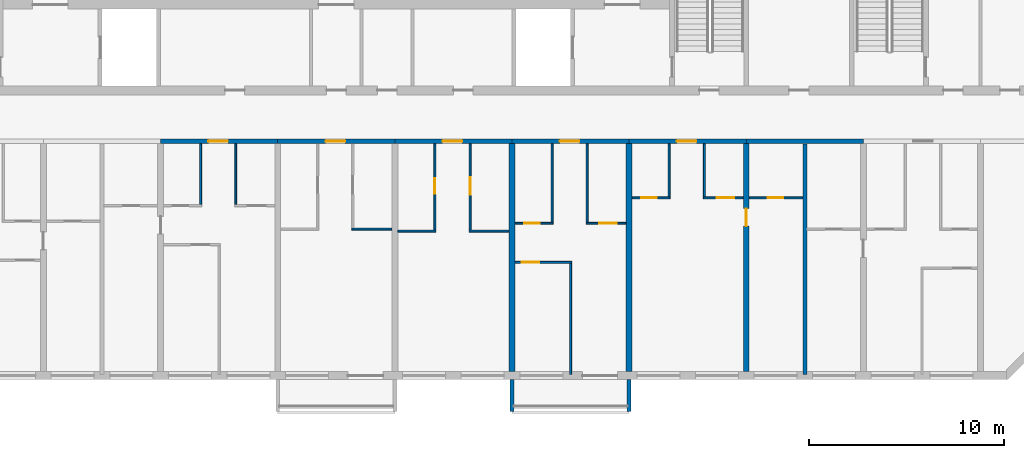
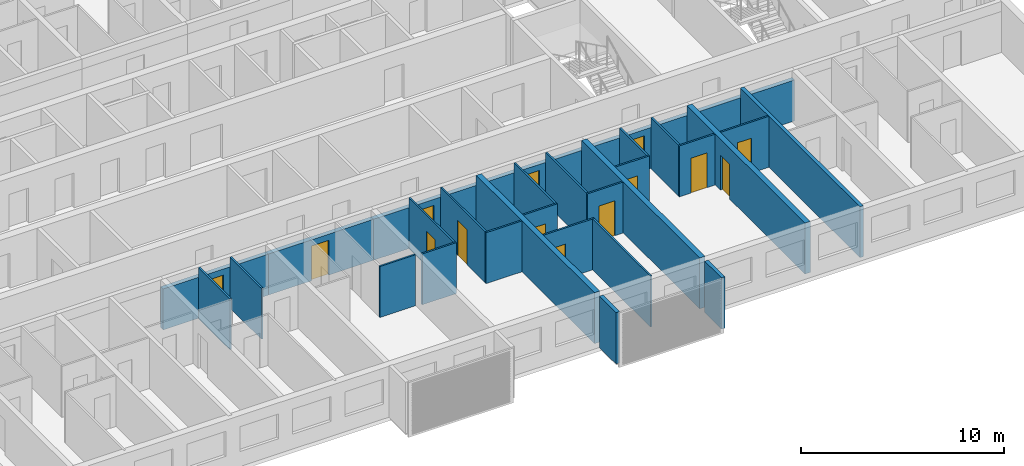
# One storey, part 5 of 31: 30 walls, 14 doors, 14 openings.
"""IFC4 building model written with IfcOpenShell, lengths in metres."""

from ifc_helpers import new_model, si_unit, direction, frame, frame_2d, origin, place, context, subcontext, project, spatial, polyline, rectangle, outline, extrude, source, transform, mapped, material, layer, layer_set, type_object, element, fill, save


model = new_model("IFC4")

# Units and contexts
model_context = context("Model", 3, precision=1e-05, world=origin(), true_north=direction((0.0, 1.0)))
body_context = subcontext(model_context, "Body", "Model", "MODEL_VIEW")
ifc_project = project(units=[si_unit("LENGTHUNIT", "METRE"), si_unit("AREAUNIT", "SQUARE_METRE"), si_unit("VOLUMEUNIT", "CUBIC_METRE"), si_unit("PLANEANGLEUNIT", "RADIAN"), si_unit("MASSUNIT", "GRAM", prefix="KILO")], contexts=[model_context])

# Site, building, storey
site_placement = place(None, origin())
site = spatial("IfcSite", under=ifc_project, at=site_placement, CompositionType="ELEMENT")
building_placement = place(site_placement, origin())
building = spatial("IfcBuilding", under=site, at=building_placement, Name="Poui Terraces", CompositionType="ELEMENT")
storey_placement = place(building_placement, frame((0.0, 0.0, 148.800048828125)))
storey = spatial("IfcBuildingStorey", under=building, at=storey_placement, Name="L41", CompositionType="ELEMENT", Elevation=148.800048828125)

# Wall, opening, door
ifc_material_1 = material(Name="Concrete 65 MPa", Category="concrete")
ifc_layer_1 = layer(ifc_material_1, 0.25)
ifc_layer_set_1 = layer_set([ifc_layer_1], Name="Concrete 65 MPa")
wall_type_1 = type_object("IfcWallType", Name="CORRIDOR WALL 250 65MPa", PredefinedType="SHEAR", material=ifc_layer_set_1)
wall_1_placement = place(storey_placement, frame((42.0, 12.0, 0.0), z_axis=(0.0, 0.0, 1.0), x_axis=(1.0, 0.0, 0.0)))
wall_1 = element("IfcWall", 1, at=wall_1_placement, inside=storey, type_object=wall_type_1, Name="CORRIDOR WALL LINE B BAY 6", PredefinedType="SHEAR", context=body_context, shape_type="SweptSolid", body=[
    extrude(rectangle(XDim=6.0, YDim=0.25, at=frame_2d((3.0, 0.0))), origin(), (0.0, 0.0, 1.0), 2.469970703125),
])
opening_1_placement = place(wall_1_placement, frame((2.449951171875, 0.0, 0.0)))
opening_1 = element("IfcOpeningElement", 2, at=opening_1_placement, cuts=wall_1, Name="Opening FD30S", PredefinedType="OPENING", context=body_context, shape_type="SweptSolid", body=[
    extrude(rectangle(XDim=1.0, YDim=2.10009765625, at=frame_2d((0.5, 1.050048828125))), frame((0.0, 0.135009765625, 0.0), z_axis=(0.0, -1.0, 0.0), x_axis=(1.0, 0.0, 0.0)), (0.0, 0.0, 1.0), 0.27001953125),
])
ifc_material_2 = material(Name="Steel fire door", Category="steel")
door_type_1 = type_object("IfcDoorType", Name="FLAT ENTRANCE DOOR 1000 X 2100", OperationType="NOTDEFINED", PredefinedType="DOOR", material=ifc_material_2)
door_1_placement = place(opening_1_placement, frame((1.0, 0.0, 0.0), z_axis=(0.0, 0.0, 1.0), x_axis=(-1.0, 0.0, 0.0)))
door_1 = element("IfcDoor", 3, at=door_1_placement, inside=storey, type_object=door_type_1, Name="FLAT ENTRANCE DOOR 096", OperationType="SINGLE_SWING_RIGHT", OverallHeight=2.10009765625, OverallWidth=1.0, PredefinedType="DOOR", context=body_context, shape_type="SweptSolid", body=[
    extrude(rectangle(XDim=1.0, YDim=2.10009765625, at=frame_2d((0.5, 1.050048828125))), frame((0.0, 0.02490234375, 0.0), z_axis=(0.0, -1.0, 0.0), x_axis=(1.0, 0.0, 0.0)), (0.0, 0.0, 1.0), 0.050048828125),
])
fill(opening_1, door_1)

wall_2_placement = place(storey_placement, frame((48.0, 12.0, 0.0), z_axis=(0.0, 0.0, 1.0), x_axis=(1.0, 0.0, 0.0)))
wall_2 = element("IfcWall", 4, at=wall_2_placement, inside=storey, type_object=wall_type_1, Name="CORRIDOR WALL LINE B BAY 7", PredefinedType="SHEAR", context=body_context, shape_type="SweptSolid", body=[
    extrude(rectangle(XDim=6.0, YDim=0.25, at=frame_2d((3.0, 0.0))), origin(), (0.0, 0.0, 1.0), 2.469970703125),
])
opening_2_placement = place(wall_2_placement, frame((2.449951171875, 0.0, 0.0)))
opening_2 = element("IfcOpeningElement", 5, at=opening_2_placement, cuts=wall_2, Name="Opening FD30S", PredefinedType="OPENING", context=body_context, shape_type="SweptSolid", body=[
    extrude(rectangle(XDim=1.0, YDim=2.10009765625, at=frame_2d((0.5, 1.050048828125))), frame((0.0, 0.135009765625, 0.0), z_axis=(0.0, -1.0, 0.0), x_axis=(1.0, 0.0, 0.0)), (0.0, 0.0, 1.0), 0.27001953125),
])
door_2_placement = place(opening_2_placement, frame((1.0, 0.0, 0.0), z_axis=(0.0, 0.0, 1.0), x_axis=(-1.0, 0.0, 0.0)))
door_2 = element("IfcDoor", 6, at=door_2_placement, inside=storey, type_object=door_type_1, Name="FLAT ENTRANCE DOOR 099", OperationType="SINGLE_SWING_RIGHT", OverallHeight=2.10009765625, OverallWidth=1.0, PredefinedType="DOOR", context=body_context, shape_type="SweptSolid", body=[
    extrude(rectangle(XDim=1.0, YDim=2.10009765625, at=frame_2d((0.5, 1.050048828125))), frame((0.0, 0.02490234375, 0.0), z_axis=(0.0, -1.0, 0.0), x_axis=(1.0, 0.0, 0.0)), (0.0, 0.0, 1.0), 0.050048828125),
])
fill(opening_2, door_2)

wall_3_placement = place(storey_placement, frame((54.0, 12.0, 0.0), z_axis=(0.0, 0.0, 1.0), x_axis=(1.0, 0.0, 0.0)))
wall_3 = element("IfcWall", 7, at=wall_3_placement, inside=storey, type_object=wall_type_1, Name="CORRIDOR WALL LINE B BAY 8", PredefinedType="SHEAR", context=body_context, shape_type="SweptSolid", body=[
    extrude(rectangle(XDim=6.0, YDim=0.25, at=frame_2d((3.0, 0.0))), origin(), (0.0, 0.0, 1.0), 2.469970703125),
])
opening_3_placement = place(wall_3_placement, frame((2.449951171875, 0.0, 0.0)))
opening_3 = element("IfcOpeningElement", 8, at=opening_3_placement, cuts=wall_3, Name="Opening FD30S", PredefinedType="OPENING", context=body_context, shape_type="SweptSolid", body=[
    extrude(rectangle(XDim=1.0, YDim=2.10009765625, at=frame_2d((0.5, 1.050048828125))), frame((0.0, 0.135009765625, 0.0), z_axis=(0.0, -1.0, 0.0), x_axis=(1.0, 0.0, 0.0)), (0.0, 0.0, 1.0), 0.27001953125),
])
door_3_placement = place(opening_3_placement, frame((1.0, 0.0, 0.0), z_axis=(0.0, 0.0, 1.0), x_axis=(-1.0, 0.0, 0.0)))
door_3 = element("IfcDoor", 9, at=door_3_placement, inside=storey, type_object=door_type_1, Name="FLAT ENTRANCE DOOR 102", OperationType="SINGLE_SWING_RIGHT", OverallHeight=2.10009765625, OverallWidth=1.0, PredefinedType="DOOR", context=body_context, shape_type="SweptSolid", body=[
    extrude(rectangle(XDim=1.0, YDim=2.10009765625, at=frame_2d((0.5, 1.050048828125))), frame((0.0, 0.02490234375, 0.0), z_axis=(0.0, -1.0, 0.0), x_axis=(1.0, 0.0, 0.0)), (0.0, 0.0, 1.0), 0.050048828125),
])
fill(opening_3, door_3)

wall_4_placement = place(storey_placement, frame((60.0, 12.0, 0.0), z_axis=(0.0, 0.0, 1.0), x_axis=(1.0, 0.0, 0.0)))
wall_4 = element("IfcWall", 10, at=wall_4_placement, inside=storey, type_object=wall_type_1, Name="CORRIDOR WALL LINE B BAY 9", PredefinedType="SHEAR", context=body_context, shape_type="SweptSolid", body=[
    extrude(rectangle(XDim=6.0, YDim=0.25, at=frame_2d((3.0, 0.0))), origin(), (0.0, 0.0, 1.0), 2.469970703125),
])
opening_4_placement = place(wall_4_placement, frame((2.449951171875, 0.0, 0.0)))
opening_4 = element("IfcOpeningElement", 11, at=opening_4_placement, cuts=wall_4, Name="Opening FD30S", PredefinedType="OPENING", context=body_context, shape_type="SweptSolid", body=[
    extrude(rectangle(XDim=1.0, YDim=2.10009765625, at=frame_2d((0.5, 1.050048828125))), frame((0.0, 0.135009765625, 0.0), z_axis=(0.0, -1.0, 0.0), x_axis=(1.0, 0.0, 0.0)), (0.0, 0.0, 1.0), 0.27001953125),
])
door_4_placement = place(opening_4_placement, frame((1.0, 0.0, 0.0), z_axis=(0.0, 0.0, 1.0), x_axis=(-1.0, 0.0, 0.0)))
door_4 = element("IfcDoor", 12, at=door_4_placement, inside=storey, type_object=door_type_1, Name="FLAT ENTRANCE DOOR 106", OperationType="SINGLE_SWING_RIGHT", OverallHeight=2.10009765625, OverallWidth=1.0, PredefinedType="DOOR", context=body_context, shape_type="SweptSolid", body=[
    extrude(rectangle(XDim=1.0, YDim=2.10009765625, at=frame_2d((0.5, 1.050048828125))), frame((0.0, 0.02490234375, 0.0), z_axis=(0.0, -1.0, 0.0), x_axis=(1.0, 0.0, 0.0)), (0.0, 0.0, 1.0), 0.050048828125),
])
fill(opening_4, door_4)

wall_5_placement = place(storey_placement, frame((66.0, 12.0, 0.0), z_axis=(0.0, 0.0, 1.0), x_axis=(1.0, 0.0, 0.0)))
wall_5 = element("IfcWall", 13, at=wall_5_placement, inside=storey, type_object=wall_type_1, Name="CORRIDOR WALL LINE B BAY 10", PredefinedType="SHEAR", context=body_context, shape_type="SweptSolid", body=[
    extrude(rectangle(XDim=6.0, YDim=0.25, at=frame_2d((3.0, 0.0))), origin(), (0.0, 0.0, 1.0), 2.469970703125),
])
opening_5_placement = place(wall_5_placement, frame((2.449951171875, 0.0, 0.0)))
opening_5 = element("IfcOpeningElement", 14, at=opening_5_placement, cuts=wall_5, Name="Opening FD30S", PredefinedType="OPENING", context=body_context, shape_type="SweptSolid", body=[
    extrude(rectangle(XDim=1.0, YDim=2.10009765625, at=frame_2d((0.5, 1.050048828125))), frame((0.0, 0.135009765625, 0.0), z_axis=(0.0, -1.0, 0.0), x_axis=(1.0, 0.0, 0.0)), (0.0, 0.0, 1.0), 0.27001953125),
])
door_5_placement = place(opening_5_placement, frame((1.0, 0.0, 0.0), z_axis=(0.0, 0.0, 1.0), x_axis=(-1.0, 0.0, 0.0)))
door_5 = element("IfcDoor", 15, at=door_5_placement, inside=storey, type_object=door_type_1, Name="FLAT ENTRANCE DOOR 110", OperationType="SINGLE_SWING_RIGHT", OverallHeight=2.10009765625, OverallWidth=1.0, PredefinedType="DOOR", context=body_context, shape_type="SweptSolid", body=[
    extrude(rectangle(XDim=1.0, YDim=2.10009765625, at=frame_2d((0.5, 1.050048828125))), frame((0.0, 0.02490234375, 0.0), z_axis=(0.0, -1.0, 0.0), x_axis=(1.0, 0.0, 0.0)), (0.0, 0.0, 1.0), 0.050048828125),
])
fill(opening_5, door_5)

# Walls
wall_6_placement = place(storey_placement, frame((72.0, 12.0, 0.0), z_axis=(0.0, 0.0, 1.0), x_axis=(1.0, 0.0, 0.0)))
element("IfcWall", 16, at=wall_6_placement, inside=storey, type_object=wall_type_1, Name="CORRIDOR WALL LINE B BAY 11", PredefinedType="SHEAR", context=body_context, shape_type="SweptSolid", body=[
    extrude(rectangle(XDim=6.0, YDim=0.25, at=frame_2d((3.0, 0.0))), origin(), (0.0, 0.0, 1.0), 2.469970703125),
])
ifc_layer_2 = layer(ifc_material_1, 0.300048828125)
ifc_layer_set_2 = layer_set([ifc_layer_2], Name="Concrete 65 MPa")
wall_type_2 = type_object("IfcWallType", Name="CROSS WALL 300 65MPa", PredefinedType="SHEAR", material=ifc_layer_set_2)
for number, where, z_axis, x_axis, name in (
    (17, (60.0, 0.199951171875, 0.0), (0.0, 0.0, 1.0), (0.0, 1.0, 0.0), "CROSS WALL LINE 11 SOUTH"),
    (18, (66.0, 0.199951171875, 0.0), (0.0, 0.0, 1.0), (0.0, 1.0, 0.0), "CROSS WALL LINE 12 SOUTH"),
):
    element("IfcWall", number, at=place(storey_placement, frame(where, z_axis=z_axis, x_axis=x_axis)), inside=storey, type_object=wall_type_2, Name=name, PredefinedType="SHEAR", context=body_context, shape_type="SweptSolid", body=[
        extrude(rectangle(XDim=11.675048828125, YDim=0.300048828125, at=frame_2d((5.83740234375, 0.0))), origin(), (0.0, 0.0, 1.0), 3.070068359375),
    ])

# Wall, opening, door
wall_7_placement = place(storey_placement, frame((72.0, 0.199951171875, 0.0), z_axis=(0.0, 0.0, 1.0), x_axis=(0.0, 1.0, 0.0)))
wall_7 = element("IfcWall", 19, at=wall_7_placement, inside=storey, type_object=wall_type_2, Name="CROSS WALL LINE 13 SOUTH", PredefinedType="SHEAR", context=body_context, shape_type="SweptSolid", body=[
    extrude(rectangle(XDim=11.675048828125, YDim=0.300048828125, at=frame_2d((5.83740234375, 0.0))), origin(), (0.0, 0.0, 1.0), 3.070068359375),
])
opening_6_placement = place(wall_7_placement, frame((7.449951171875, 0.0, 0.0)))
opening_6 = element("IfcOpeningElement", 20, at=opening_6_placement, cuts=wall_7, Name="Opening D90", PredefinedType="OPENING", context=body_context, shape_type="SweptSolid", body=[
    extrude(rectangle(XDim=0.89990234375, YDim=2.10009765625, at=frame_2d((0.449951171875, 1.050048828125))), frame((0.0, 0.16015625, 0.0), z_axis=(0.0, -1.0, 0.0), x_axis=(1.0, 0.0, 0.0)), (0.0, 0.0, 1.0), 0.320068359375),
])
ifc_material_3 = material(Name="Solid core timber door", Category="wood")
door_type_2 = type_object("IfcDoorType", Name="INTERNAL DOOR 900 X 2100", OperationType="NOTDEFINED", PredefinedType="DOOR", material=ifc_material_3)
door_6_placement = place(opening_6_placement, frame((0.89990234375, 0.0, 0.0), z_axis=(0.0, 0.0, 1.0), x_axis=(-1.0, 0.0, 0.0)))
door_6 = element("IfcDoor", 21, at=door_6_placement, inside=storey, type_object=door_type_2, Name="INTERNAL DOOR 112", OperationType="SINGLE_SWING_LEFT", OverallHeight=2.10009765625, OverallWidth=0.89990234375, PredefinedType="DOOR", context=body_context, shape_type="SweptSolid", body=[
    extrude(rectangle(XDim=0.89990234375, YDim=2.10009765625, at=frame_2d((0.449951171875, 1.050048828125))), frame((0.0, 0.02490234375, 0.0), z_axis=(0.0, -1.0, 0.0), x_axis=(1.0, 0.0, 0.0)), (0.0, 0.0, 1.0), 0.050048828125),
])
fill(opening_6, door_6)

ifc_material_4 = material(Name="Plasterboard partition")
ifc_layer_3 = layer(ifc_material_4, 0.10009765625)
ifc_layer_set_3 = layer_set([ifc_layer_3], Name="Plasterboard partition")
wall_type_3 = type_object("IfcWallType", Name="FLAT PARTITION 100", PredefinedType="PARTITIONING", material=ifc_layer_set_3)
wall_8_placement = place(storey_placement, frame((60.159912109375, 5.800048828125, 0.0), z_axis=(0.0, 0.0, 1.0), x_axis=(1.0, 0.0, 0.0)))
wall_8 = element("IfcWall", 22, at=wall_8_placement, inside=storey, type_object=wall_type_3, Name="FLAT PARTITION 100", PredefinedType="PARTITIONING", context=body_context, shape_type="SweptSolid", body=[
    extrude(rectangle(XDim=2.89013671875, YDim=0.10009765625, at=frame_2d((1.445068359375, 0.0))), origin(), (0.0, 0.0, 1.0), 3.070068359375),
])
opening_7_placement = place(wall_8_placement, frame((0.340087890625, 0.0, 0.0)))
opening_7 = element("IfcOpeningElement", 23, at=opening_7_placement, cuts=wall_8, Name="Opening D90", PredefinedType="OPENING", context=body_context, shape_type="SweptSolid", body=[
    extrude(rectangle(XDim=0.89990234375, YDim=2.10009765625, at=frame_2d((0.449951171875, 1.050048828125))), frame((0.0, 0.06005859375, 0.0), z_axis=(0.0, -1.0, 0.0), x_axis=(1.0, 0.0, 0.0)), (0.0, 0.0, 1.0), 0.1201171875),
])
door_7_placement = place(opening_7_placement, origin())
door_7 = element("IfcDoor", 24, at=door_7_placement, inside=storey, type_object=door_type_2, Name="INTERNAL DOOR 104", OperationType="SINGLE_SWING_RIGHT", OverallHeight=2.10009765625, OverallWidth=0.89990234375, PredefinedType="DOOR", context=body_context, shape_type="SweptSolid", body=[
    extrude(rectangle(XDim=0.89990234375, YDim=2.10009765625, at=frame_2d((0.449951171875, 1.050048828125))), frame((0.0, 0.02490234375, 0.0), z_axis=(0.0, -1.0, 0.0), x_axis=(1.0, 0.0, 0.0)), (0.0, 0.0, 1.0), 0.050048828125),
])
fill(opening_7, door_7)

# Walls
wall_9_placement = place(storey_placement, frame((54.159912109375, 7.39990234375, 0.0), z_axis=(0.0, 0.0, 1.0), x_axis=(1.0, 0.0, 0.0)))
element("IfcWall", 25, at=wall_9_placement, inside=storey, type_object=wall_type_3, Name="FLAT PARTITION 100", PredefinedType="PARTITIONING", context=body_context, shape_type="SweptSolid", body=[
    extrude(rectangle(XDim=1.940185546875, YDim=0.10009765625, at=frame_2d((0.97021484375, 0.0))), origin(), (0.0, 0.0, 1.0), 3.070068359375),
])
for number, where, z_axis, x_axis, name in (
    (26, (57.800048828125, 7.39990234375, 0.0), (0.0, 0.0, 1.0), (1.0, 0.0, 0.0), "FLAT PARTITION 100"),
    (27, (51.800048828125, 7.5, 0.0), (0.0, 0.0, 1.0), (1.0, 0.0, 0.0), "FLAT PARTITION 100"),
):
    element("IfcWall", number, at=place(storey_placement, frame(where, z_axis=z_axis, x_axis=x_axis)), inside=storey, type_object=wall_type_3, Name=name, PredefinedType="PARTITIONING", context=body_context, shape_type="SweptSolid", body=[
        extrude(rectangle(XDim=2.0400390625, YDim=0.10009765625, at=frame_2d((1.02001953125, 0.0))), origin(), (0.0, 0.0, 1.0), 3.070068359375),
    ])

# Wall, opening, door
wall_10_placement = place(storey_placement, frame((60.159912109375, 7.800048828125, 0.0), z_axis=(0.0, 0.0, 1.0), x_axis=(1.0, 0.0, 0.0)))
wall_10 = element("IfcWall", 28, at=wall_10_placement, inside=storey, type_object=wall_type_3, Name="FLAT PARTITION 100", PredefinedType="PARTITIONING", context=body_context, shape_type="SweptSolid", body=[
    extrude(rectangle(XDim=1.940185546875, YDim=0.10009765625, at=frame_2d((0.97021484375, 0.0))), origin(), (0.0, 0.0, 1.0), 3.070068359375),
])
opening_8_placement = place(wall_10_placement, frame((0.465087890625, 0.0, 0.0)))
opening_8 = element("IfcOpeningElement", 29, at=opening_8_placement, cuts=wall_10, Name="Opening D80", PredefinedType="OPENING", context=body_context, shape_type="SweptSolid", body=[
    extrude(rectangle(XDim=0.800048828125, YDim=2.10009765625, at=frame_2d((0.39990234375, 1.050048828125))), frame((0.0, 0.06005859375, 0.0), z_axis=(0.0, -1.0, 0.0), x_axis=(1.0, 0.0, 0.0)), (0.0, 0.0, 1.0), 0.1201171875),
])
door_type_3 = type_object("IfcDoorType", Name="BATHROOM, LAUNDRY AND STORE DOOR 800 X 2100", OperationType="NOTDEFINED", PredefinedType="DOOR", material=ifc_material_3)
door_8_placement = place(opening_8_placement, origin())
door_8 = element("IfcDoor", 30, at=door_8_placement, inside=storey, type_object=door_type_3, Name="BATHROOM, LAUNDRY AND STORE DOOR 105", OperationType="SINGLE_SWING_LEFT", OverallHeight=2.10009765625, OverallWidth=0.800048828125, PredefinedType="DOOR", context=body_context, shape_type="SweptSolid", body=[
    extrude(rectangle(XDim=0.800048828125, YDim=2.10009765625, at=frame_2d((0.39990234375, 1.050048828125))), frame((0.0, 0.02490234375, 0.0), z_axis=(0.0, -1.0, 0.0), x_axis=(1.0, 0.0, 0.0)), (0.0, 0.0, 1.0), 0.050048828125),
])
fill(opening_8, door_8)

wall_11_placement = place(storey_placement, frame((63.800048828125, 7.800048828125, 0.0), z_axis=(0.0, 0.0, 1.0), x_axis=(1.0, 0.0, 0.0)))
wall_11 = element("IfcWall", 31, at=wall_11_placement, inside=storey, type_object=wall_type_3, Name="FLAT PARTITION 100", PredefinedType="PARTITIONING", context=body_context, shape_type="SweptSolid", body=[
    extrude(rectangle(XDim=2.0400390625, YDim=0.10009765625, at=frame_2d((1.02001953125, 0.0))), origin(), (0.0, 0.0, 1.0), 3.070068359375),
])
opening_9_placement = place(wall_11_placement, frame((0.675048828125, 0.0, 0.0)))
opening_9 = element("IfcOpeningElement", 32, at=opening_9_placement, cuts=wall_11, Name="Opening D90", PredefinedType="OPENING", context=body_context, shape_type="SweptSolid", body=[
    extrude(rectangle(XDim=0.89990234375, YDim=2.10009765625, at=frame_2d((0.449951171875, 1.050048828125))), frame((0.0, 0.06005859375, 0.0), z_axis=(0.0, -1.0, 0.0), x_axis=(1.0, 0.0, 0.0)), (0.0, 0.0, 1.0), 0.1201171875),
])
door_9_placement = place(opening_9_placement, origin())
door_9 = element("IfcDoor", 33, at=door_9_placement, inside=storey, type_object=door_type_2, Name="INTERNAL DOOR 107", OperationType="SINGLE_SWING_RIGHT", OverallHeight=2.10009765625, OverallWidth=0.89990234375, PredefinedType="DOOR", context=body_context, shape_type="SweptSolid", body=[
    extrude(rectangle(XDim=0.89990234375, YDim=2.10009765625, at=frame_2d((0.449951171875, 1.050048828125))), frame((0.0, 0.02490234375, 0.0), z_axis=(0.0, -1.0, 0.0), x_axis=(1.0, 0.0, 0.0)), (0.0, 0.0, 1.0), 0.050048828125),
])
fill(opening_9, door_9)

wall_12_placement = place(storey_placement, frame((66.159912109375, 9.10009765625, 0.0), z_axis=(0.0, 0.0, 1.0), x_axis=(1.0, 0.0, 0.0)))
wall_12 = element("IfcWall", 34, at=wall_12_placement, inside=storey, type_object=wall_type_3, Name="FLAT PARTITION 100", PredefinedType="PARTITIONING", context=body_context, shape_type="SweptSolid", body=[
    extrude(rectangle(XDim=1.940185546875, YDim=0.10009765625, at=frame_2d((0.97021484375, 0.0))), origin(), (0.0, 0.0, 1.0), 3.070068359375),
])
opening_10_placement = place(wall_12_placement, frame((0.465087890625, 0.0, 0.0)))
opening_10 = element("IfcOpeningElement", 35, at=opening_10_placement, cuts=wall_12, Name="Opening D80", PredefinedType="OPENING", context=body_context, shape_type="SweptSolid", body=[
    extrude(rectangle(XDim=0.800048828125, YDim=2.10009765625, at=frame_2d((0.39990234375, 1.050048828125))), frame((0.0, 0.06005859375, 0.0), z_axis=(0.0, -1.0, 0.0), x_axis=(1.0, 0.0, 0.0)), (0.0, 0.0, 1.0), 0.1201171875),
])
door_10_placement = place(opening_10_placement, origin())
door_10 = element("IfcDoor", 36, at=door_10_placement, inside=storey, type_object=door_type_3, Name="BATHROOM, LAUNDRY AND STORE DOOR 109", OperationType="SINGLE_SWING_LEFT", OverallHeight=2.10009765625, OverallWidth=0.800048828125, PredefinedType="DOOR", context=body_context, shape_type="SweptSolid", body=[
    extrude(rectangle(XDim=0.800048828125, YDim=2.10009765625, at=frame_2d((0.39990234375, 1.050048828125))), frame((0.0, 0.02490234375, 0.0), z_axis=(0.0, -1.0, 0.0), x_axis=(1.0, 0.0, 0.0)), (0.0, 0.0, 1.0), 0.050048828125),
])
fill(opening_10, door_10)

wall_13_placement = place(storey_placement, frame((69.800048828125, 9.10009765625, 0.0), z_axis=(0.0, 0.0, 1.0), x_axis=(1.0, 0.0, 0.0)))
wall_13 = element("IfcWall", 37, at=wall_13_placement, inside=storey, type_object=wall_type_3, Name="FLAT PARTITION 100", PredefinedType="PARTITIONING", context=body_context, shape_type="SweptSolid", body=[
    extrude(rectangle(XDim=2.0400390625, YDim=0.10009765625, at=frame_2d((1.02001953125, 0.0))), origin(), (0.0, 0.0, 1.0), 3.070068359375),
])
opening_11_placement = place(wall_13_placement, frame((0.675048828125, 0.0, 0.0)))
opening_11 = element("IfcOpeningElement", 38, at=opening_11_placement, cuts=wall_13, Name="Opening D90", PredefinedType="OPENING", context=body_context, shape_type="SweptSolid", body=[
    extrude(rectangle(XDim=0.89990234375, YDim=2.10009765625, at=frame_2d((0.449951171875, 1.050048828125))), frame((0.0, 0.06005859375, 0.0), z_axis=(0.0, -1.0, 0.0), x_axis=(1.0, 0.0, 0.0)), (0.0, 0.0, 1.0), 0.1201171875),
])
door_11_placement = place(opening_11_placement, origin())
door_11 = element("IfcDoor", 39, at=door_11_placement, inside=storey, type_object=door_type_2, Name="INTERNAL DOOR 111", OperationType="SINGLE_SWING_RIGHT", OverallHeight=2.10009765625, OverallWidth=0.89990234375, PredefinedType="DOOR", context=body_context, shape_type="SweptSolid", body=[
    extrude(rectangle(XDim=0.89990234375, YDim=2.10009765625, at=frame_2d((0.449951171875, 1.050048828125))), frame((0.0, 0.02490234375, 0.0), z_axis=(0.0, -1.0, 0.0), x_axis=(1.0, 0.0, 0.0)), (0.0, 0.0, 1.0), 0.050048828125),
])
fill(opening_11, door_11)

wall_14_placement = place(storey_placement, frame((72.159912109375, 9.10009765625, 0.0), z_axis=(0.0, 0.0, 1.0), x_axis=(1.0, 0.0, 0.0)))
wall_14 = element("IfcWall", 40, at=wall_14_placement, inside=storey, type_object=wall_type_3, Name="FLAT PARTITION 100", PredefinedType="PARTITIONING", context=body_context, shape_type="SweptSolid", body=[
    extrude(rectangle(XDim=2.739990234375, YDim=0.10009765625, at=frame_2d((1.3701171875, 0.0))), origin(), (0.0, 0.0, 1.0), 3.070068359375),
])
opening_12_placement = place(wall_14_placement, frame((0.93994140625, 0.0, 0.0)))
opening_12 = element("IfcOpeningElement", 41, at=opening_12_placement, cuts=wall_14, Name="Opening D80", PredefinedType="OPENING", context=body_context, shape_type="SweptSolid", body=[
    extrude(rectangle(XDim=0.800048828125, YDim=2.10009765625, at=frame_2d((0.39990234375, 1.050048828125))), frame((0.0, 0.06005859375, 0.0), z_axis=(0.0, -1.0, 0.0), x_axis=(1.0, 0.0, 0.0)), (0.0, 0.0, 1.0), 0.1201171875),
])
door_12_placement = place(opening_12_placement, origin())
door_12 = element("IfcDoor", 42, at=door_12_placement, inside=storey, type_object=door_type_3, Name="BATHROOM, LAUNDRY AND STORE DOOR 108", OperationType="SINGLE_SWING_RIGHT", OverallHeight=2.10009765625, OverallWidth=0.800048828125, PredefinedType="DOOR", context=body_context, shape_type="SweptSolid", body=[
    extrude(rectangle(XDim=0.800048828125, YDim=2.10009765625, at=frame_2d((0.39990234375, 1.050048828125))), frame((0.0, 0.02490234375, 0.0), z_axis=(0.0, -1.0, 0.0), x_axis=(1.0, 0.0, 0.0)), (0.0, 0.0, 1.0), 0.050048828125),
])
fill(opening_12, door_12)

# Walls
for number, where, z_axis, x_axis, name in (
    (43, (44.050048828125, 8.75, 0.0), (0.0, 0.0, 1.0), (0.0, 1.0, 0.0), "FLAT PARTITION 100"),
    (44, (45.85009765625, 8.75, 0.0), (0.0, 0.0, 1.0), (0.0, 1.0, 0.0), "FLAT PARTITION 100"),
):
    element("IfcWall", number, at=place(storey_placement, frame(where, z_axis=z_axis, x_axis=x_axis)), inside=storey, type_object=wall_type_3, Name=name, PredefinedType="PARTITIONING", context=body_context, shape_type="SweptSolid", body=[
        extrude(rectangle(XDim=3.114990234375, YDim=0.10009765625, at=frame_2d((1.5576171875, 0.0))), origin(), (0.0, 0.0, 1.0), 3.070068359375),
    ])

# Wall, opening, door
wall_15_placement = place(storey_placement, frame((56.050048828125, 7.449951171875, 0.0), z_axis=(0.0, 0.0, 1.0), x_axis=(0.0, 1.0, 0.0)))
wall_15 = element("IfcWall", 45, at=wall_15_placement, inside=storey, type_object=wall_type_3, Name="FLAT PARTITION 100", PredefinedType="PARTITIONING", context=body_context, shape_type="SweptSolid", body=[
    extrude(rectangle(XDim=4.4150390625, YDim=0.10009765625, at=frame_2d((2.20751953125, 0.0))), origin(), (0.0, 0.0, 1.0), 3.070068359375),
])
opening_13_placement = place(wall_15_placement, frame((1.85009765625, 0.0, 0.0)))
opening_13 = element("IfcOpeningElement", 46, at=opening_13_placement, cuts=wall_15, Name="Opening D80", PredefinedType="OPENING", context=body_context, shape_type="SweptSolid", body=[
    extrude(rectangle(XDim=0.800048828125, YDim=2.10009765625, at=frame_2d((0.39990234375, 1.050048828125))), frame((0.0, 0.06005859375, 0.0), z_axis=(0.0, -1.0, 0.0), x_axis=(1.0, 0.0, 0.0)), (0.0, 0.0, 1.0), 0.1201171875),
])
door_13_placement = place(opening_13_placement, origin())
door_13 = element("IfcDoor", 47, at=door_13_placement, inside=storey, type_object=door_type_3, Name="BATHROOM, LAUNDRY AND STORE DOOR 101", OperationType="SINGLE_SWING_LEFT", OverallHeight=2.10009765625, OverallWidth=0.800048828125, PredefinedType="DOOR", context=body_context, shape_type="SweptSolid", body=[
    extrude(rectangle(XDim=0.800048828125, YDim=2.10009765625, at=frame_2d((0.39990234375, 1.050048828125))), frame((0.0, 0.02490234375, 0.0), z_axis=(0.0, -1.0, 0.0), x_axis=(1.0, 0.0, 0.0)), (0.0, 0.0, 1.0), 0.050048828125),
])
fill(opening_13, door_13)

wall_16_placement = place(storey_placement, frame((57.85009765625, 7.449951171875, 0.0), z_axis=(0.0, 0.0, 1.0), x_axis=(0.0, 1.0, 0.0)))
wall_16 = element("IfcWall", 48, at=wall_16_placement, inside=storey, type_object=wall_type_3, Name="FLAT PARTITION 100", PredefinedType="PARTITIONING", context=body_context, shape_type="SweptSolid", body=[
    extrude(rectangle(XDim=4.4150390625, YDim=0.10009765625, at=frame_2d((2.20751953125, 0.0))), origin(), (0.0, 0.0, 1.0), 3.070068359375),
])
opening_14_placement = place(wall_16_placement, frame((1.800048828125, 0.0, 0.0)))
opening_14 = element("IfcOpeningElement", 49, at=opening_14_placement, cuts=wall_16, Name="Opening D90", PredefinedType="OPENING", context=body_context, shape_type="SweptSolid", body=[
    extrude(rectangle(XDim=0.89990234375, YDim=2.10009765625, at=frame_2d((0.449951171875, 1.050048828125))), frame((0.0, 0.06005859375, 0.0), z_axis=(0.0, -1.0, 0.0), x_axis=(1.0, 0.0, 0.0)), (0.0, 0.0, 1.0), 0.1201171875),
])
door_14_placement = place(opening_14_placement, frame((0.89990234375, 0.0, 0.0), z_axis=(0.0, 0.0, 1.0), x_axis=(-1.0, 0.0, 0.0)))
door_14 = element("IfcDoor", 50, at=door_14_placement, inside=storey, type_object=door_type_2, Name="INTERNAL DOOR 103", OperationType="SINGLE_SWING_LEFT", OverallHeight=2.10009765625, OverallWidth=0.89990234375, PredefinedType="DOOR", context=body_context, shape_type="SweptSolid", body=[
    extrude(rectangle(XDim=0.89990234375, YDim=2.10009765625, at=frame_2d((0.449951171875, 1.050048828125))), frame((0.0, 0.02490234375, 0.0), z_axis=(0.0, -1.0, 0.0), x_axis=(1.0, 0.0, 0.0)), (0.0, 0.0, 1.0), 0.050048828125),
])
fill(opening_14, door_14)

# Walls
wall_17_placement = place(storey_placement, frame((62.050048828125, 7.85009765625, 0.0), z_axis=(0.0, 0.0, 1.0), x_axis=(0.0, 1.0, 0.0)))
element("IfcWall", 51, at=wall_17_placement, inside=storey, type_object=wall_type_3, Name="FLAT PARTITION 100", PredefinedType="PARTITIONING", context=body_context, shape_type="SweptSolid", body=[
    extrude(rectangle(XDim=4.014892578125, YDim=0.10009765625, at=frame_2d((2.00732421875, 0.0))), origin(), (0.0, 0.0, 1.0), 3.070068359375),
])
wall_18_placement = place(storey_placement, frame((63.0, 0.06005859375, 0.0), z_axis=(0.0, 0.0, 1.0), x_axis=(0.0, 1.0, 0.0)))
element("IfcWall", 52, at=wall_18_placement, inside=storey, type_object=wall_type_3, Name="FLAT PARTITION 100", PredefinedType="PARTITIONING", context=body_context, shape_type="SweptSolid", body=[
    extrude(rectangle(XDim=5.68994140625, YDim=0.10009765625, at=frame_2d((2.844970703125, 0.0))), origin(), (0.0, 0.0, 1.0), 3.070068359375),
])
wall_19_placement = place(storey_placement, frame((63.85009765625, 7.85009765625, 0.0), z_axis=(0.0, 0.0, 1.0), x_axis=(0.0, 1.0, 0.0)))
element("IfcWall", 53, at=wall_19_placement, inside=storey, type_object=wall_type_3, Name="FLAT PARTITION 100", PredefinedType="PARTITIONING", context=body_context, shape_type="SweptSolid", body=[
    extrude(rectangle(XDim=4.014892578125, YDim=0.10009765625, at=frame_2d((2.00732421875, 0.0))), origin(), (0.0, 0.0, 1.0), 3.070068359375),
])
for number, where, z_axis, x_axis, name in (
    (54, (68.050048828125, 9.14990234375, 0.0), (0.0, 0.0, 1.0), (0.0, 1.0, 0.0), "FLAT PARTITION 100"),
    (55, (69.85009765625, 9.14990234375, 0.0), (0.0, 0.0, 1.0), (0.0, 1.0, 0.0), "FLAT PARTITION 100"),
):
    element("IfcWall", number, at=place(storey_placement, frame(where, z_axis=z_axis, x_axis=x_axis)), inside=storey, type_object=wall_type_3, Name=name, PredefinedType="PARTITIONING", context=body_context, shape_type="SweptSolid", body=[
        extrude(rectangle(XDim=2.715087890625, YDim=0.10009765625, at=frame_2d((1.357421875, 0.0))), origin(), (0.0, 0.0, 1.0), 3.070068359375),
    ])
ifc_material_5 = material(Name="Fire-rated masonry wall", Category="masonry")
ifc_layer_4 = layer(ifc_material_5, 0.199951171875)
ifc_layer_set_4 = layer_set([ifc_layer_4], Name="Fire-rated masonry wall")
wall_type_4 = type_object("IfcWallType", Name="FLAT PARTY WALL 200", PredefinedType="PARTITIONING", material=ifc_layer_set_4)
wall_20_placement = place(storey_placement, frame((75.0, 0.06005859375, 0.0), z_axis=(0.0, 0.0, 1.0), x_axis=(0.0, 1.0, 0.0)))
element("IfcWall", 56, at=wall_20_placement, inside=storey, type_object=wall_type_4, Name="FLAT PARTY WALL 200", PredefinedType="PARTITIONING", context=body_context, shape_type="SweptSolid", body=[
    extrude(rectangle(XDim=11.804931640625, YDim=0.199951171875, at=frame_2d((5.90234375, 0.0))), origin(), (0.0, 0.0, 1.0), 3.070068359375),
])
ifc_material_6 = material(Name="Precast concrete 40 MPa", Category="concrete")
ifc_layer_5 = layer(ifc_material_6, 0.199951171875)
ifc_layer_set_5 = layer_set([ifc_layer_5], Name="Precast concrete 40 MPa")
wall_type_5 = type_object("IfcWallType", Name="REAR FIN 200", PredefinedType="STANDARD", material=ifc_layer_set_5)
shared_shape = source(origin(), body_context, "Body", "SweptSolid", [
    extrude(outline(polyline([(0.0, 0.0), (0.2001953125, 0.0), (0.2001953125, 1.650146484375), (0.0, 1.650146484375), (0.0, 0.0)])), origin(), (0.0, 0.0, 1.0), 3.099853515625),
])
for number, where, name in (
    (57, (59.89990234375, -1.85009765625, 0.0), "REAR FIN"),
    (58, (65.89990234375, -1.85009765625, 0.0), "REAR FIN"),
):
    element("IfcWall", number, at=place(storey_placement, frame(where)), inside=storey, type_object=wall_type_5, Name=name, PredefinedType="STANDARD", context=body_context, shape_type="MappedRepresentation", body=[
        mapped(shared_shape, transform((0.0, 0.0, 0.0))),
    ])

save(model, "model.ifc")
